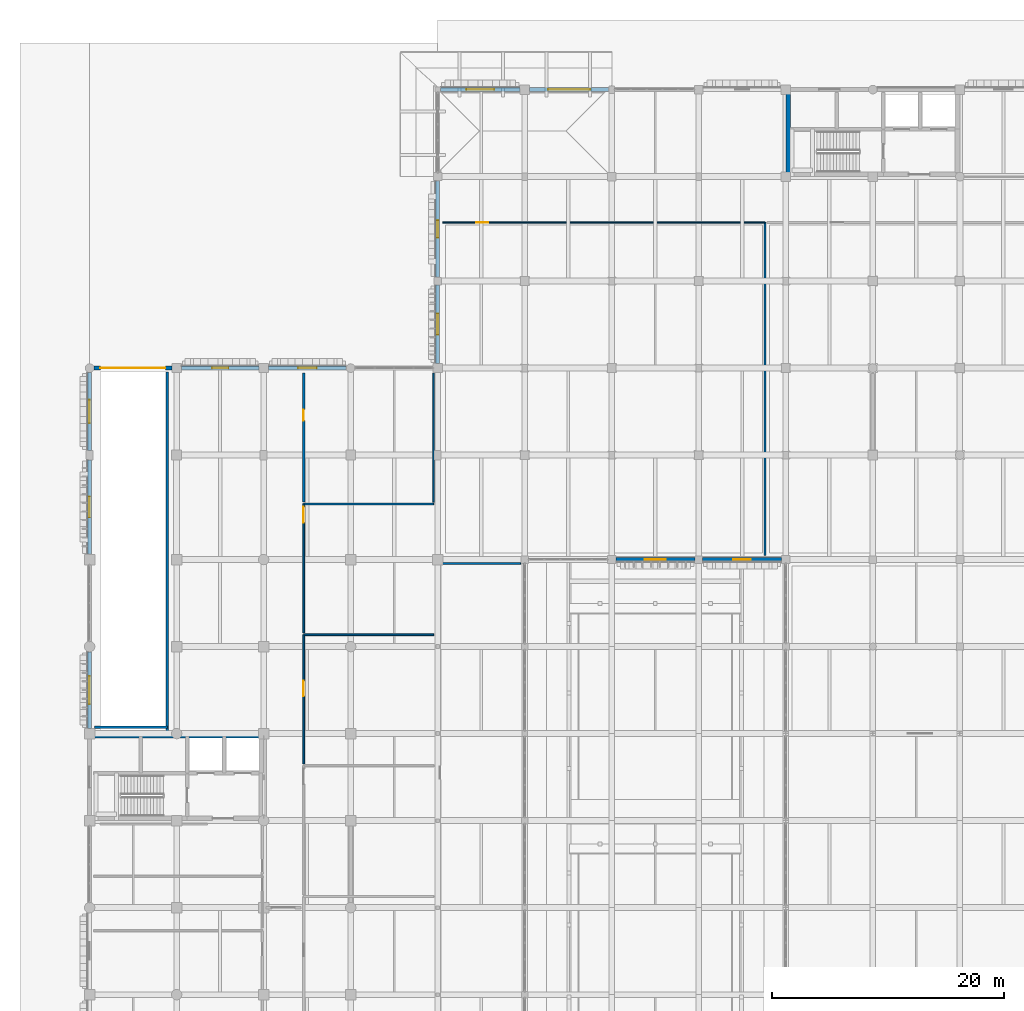
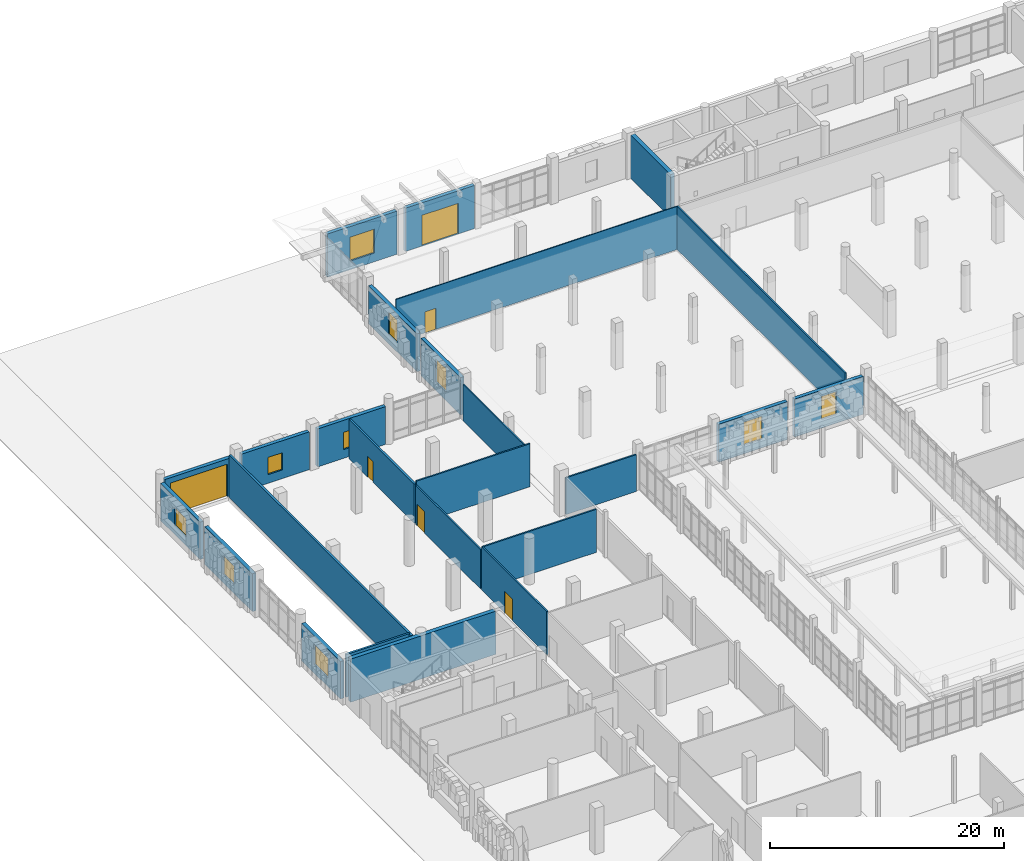
# One storey, part 94 of 125: 25 walls, 10 windows, 6 doors, 16 openings.
"""IFC4 building model written with IfcOpenShell, lengths in metres."""

from ifc_helpers import new_model, si_unit, direction, frame, frame_2d, origin, place, context, subcontext, project, spatial, rectangle, extrude, material, layer, layer_set, type_object, element, fill, save


model = new_model("IFC4")

# Units and contexts
model_context = context("Model", 3, precision=1e-05, world=origin(), true_north=direction((0.0, 1.0)))
body_context = subcontext(model_context, "Body", "Model", "MODEL_VIEW")
ifc_project = project(units=[si_unit("LENGTHUNIT", "METRE"), si_unit("AREAUNIT", "SQUARE_METRE"), si_unit("VOLUMEUNIT", "CUBIC_METRE"), si_unit("PLANEANGLEUNIT", "RADIAN"), si_unit("MASSUNIT", "GRAM", prefix="KILO")], contexts=[model_context])

# Site, building, storey
site_placement = place(None, origin())
site = spatial("IfcSite", under=ifc_project, at=site_placement, CompositionType="ELEMENT")
building_placement = place(site_placement, origin())
building = spatial("IfcBuilding", under=site, at=building_placement, Name="Dalvernix Boulevard General Hospital", CompositionType="ELEMENT")
storey_placement = place(building_placement, origin())
storey = spatial("IfcBuildingStorey", under=building, at=storey_placement, Name="L00", CompositionType="ELEMENT", Elevation=0.0)

# Walls
ifc_material_1 = material(Name="Concrete C40/50", Category="concrete")
ifc_layer_1 = layer(ifc_material_1, 0.39990234375)
ifc_layer_set_1 = layer_set([ifc_layer_1], Name="Concrete C40/50 (WAL-CSW-01)")
wall_type_1 = type_object("IfcWallType", Name="WAL-CSW-01", PredefinedType="SHEAR", material=ifc_layer_set_1)
wall_1_placement = place(storey_placement, frame((0.35009765625, 61.300048828125, 0.0), z_axis=(0.0, 0.0, 1.0), x_axis=(1.0, 0.0, 0.0)))
element("IfcWall", 1, at=wall_1_placement, inside=storey, type_object=wall_type_1, Name="L00 C2 north shaft core wall", PredefinedType="SHEAR", context=body_context, shape_type="SweptSolid", body=[
    extrude(rectangle(XDim=14.2998046875, YDim=0.39990234375, at=frame_2d((7.14990234375, 0.0))), origin(), (0.0, 0.0, 1.0), 4.5),
])
wall_2_placement = place(storey_placement, frame((60.199951171875, 109.85009765625, 0.0), z_axis=(0.0, 0.0, 1.0), x_axis=(0.0, 1.0, 0.0)))
element("IfcWall", 2, at=wall_2_placement, inside=storey, type_object=wall_type_1, Name="L00 C3 west core wall", PredefinedType="SHEAR", context=body_context, shape_type="SweptSolid", body=[
    extrude(rectangle(XDim=6.7998046875, YDim=0.39990234375, at=frame_2d((3.39990234375, 0.0))), origin(), (0.0, 0.0, 1.0), 4.5),
])

# Wall, opening, window
ifc_material_2 = material(Name="Pressed Catalan clay brick and insulated concrete cavity wall C35/45", Category="masonry")
ifc_layer_2 = layer(ifc_material_2, 0.35009765625)
ifc_layer_set_2 = layer_set([ifc_layer_2], Name="Pressed Catalan clay brick and insulated concrete cavity wall C35/45 (WAL-EW-01)")
wall_type_2 = type_object("IfcWallType", Name="WAL-EW-01", PredefinedType="STANDARD", material=ifc_layer_set_2)
wall_3_placement = place(storey_placement, frame((0.0, 61.9599609375, 0.0), z_axis=(0.0, 0.0, 1.0), x_axis=(0.0, 1.0, 0.0)))
wall_3 = element("IfcWall", 3, at=wall_3_placement, inside=storey, type_object=wall_type_2, Name="L00 Catalan brick external wall W 0-8", PredefinedType="STANDARD", context=body_context, shape_type="SweptSolid", body=[
    extrude(rectangle(XDim=6.580078125, YDim=0.35009765625, at=frame_2d((3.2900390625, 0.0))), origin(), (0.0, 0.0, 1.0), 3.89990234375),
])
opening_1_placement = place(wall_3_placement, frame((2.090087890625, 0.0, 0.89990234375)))
opening_1 = element("IfcOpeningElement", 4, at=opening_1_placement, cuts=wall_3, Name="Opening WN-09", PredefinedType="OPENING", context=body_context, shape_type="SweptSolid", body=[
    extrude(rectangle(XDim=2.39990234375, YDim=2.10009765625, at=frame_2d((1.199951171875, 1.050048828125))), frame((0.0, 0.18505859375, 0.0), z_axis=(0.0, -1.0, 0.0), x_axis=(1.0, 0.0, 0.0)), (0.0, 0.0, 1.0), 0.3701171875),
])
ifc_material_3 = material(Name="Thermally broken aluminium frame with solar-control double glazing", Category="aluminium")
window_type_1 = type_object("IfcWindowType", Name="WIN-WN-09", PartitioningType="SINGLE_PANEL", PredefinedType="WINDOW", material=ifc_material_3)
window_1_placement = place(opening_1_placement, origin())
window_1 = element("IfcWindow", 5, at=window_1_placement, inside=storey, type_object=window_type_1, Name="L00 clinical window WN-09 W 0-8", OverallHeight=2.10009765625, OverallWidth=2.39990234375, PartitioningType="SINGLE_PANEL", PredefinedType="WINDOW", context=body_context, shape_type="SweptSolid", body=[
    extrude(rectangle(XDim=2.39990234375, YDim=2.10009765625, at=frame_2d((1.199951171875, 1.050048828125))), frame((0.0, 0.030029296875, 0.0), z_axis=(0.0, -1.0, 0.0), x_axis=(1.0, 0.0, 0.0)), (0.0, 0.0, 1.0), 0.06005859375),
])
fill(opening_1, window_1)

wall_4_placement = place(storey_placement, frame((0.0, 76.9599609375, 0.0), z_axis=(0.0, 0.0, 1.0), x_axis=(0.0, 1.0, 0.0)))
wall_4 = element("IfcWall", 6, at=wall_4_placement, inside=storey, type_object=wall_type_2, Name="L00 Catalan brick external wall W 0-10", PredefinedType="STANDARD", context=body_context, shape_type="SweptSolid", body=[
    extrude(rectangle(XDim=8.130126953125, YDim=0.35009765625, at=frame_2d((4.06494140625, 0.0))), origin(), (0.0, 0.0, 1.0), 3.949951171875),
])
opening_2_placement = place(wall_4_placement, frame((3.1650390625, 0.0, 0.89990234375)))
opening_2 = element("IfcOpeningElement", 7, at=opening_2_placement, cuts=wall_4, Name="Opening WN-11", PredefinedType="OPENING", context=body_context, shape_type="SweptSolid", body=[
    extrude(rectangle(XDim=1.800048828125, YDim=1.949951171875, at=frame_2d((0.89990234375, 0.97509765625))), frame((0.0, 0.18505859375, 0.0), z_axis=(0.0, -1.0, 0.0), x_axis=(1.0, 0.0, 0.0)), (0.0, 0.0, 1.0), 0.3701171875),
])
window_type_2 = type_object("IfcWindowType", Name="WIN-WN-11", PartitioningType="SINGLE_PANEL", PredefinedType="WINDOW", material=ifc_material_3)
window_2_placement = place(opening_2_placement, origin())
window_2 = element("IfcWindow", 8, at=window_2_placement, inside=storey, type_object=window_type_2, Name="L00 clinical window WN-11 W 0-10", OverallHeight=1.949951171875, OverallWidth=1.800048828125, PartitioningType="SINGLE_PANEL", PredefinedType="WINDOW", context=body_context, shape_type="SweptSolid", body=[
    extrude(rectangle(XDim=1.800048828125, YDim=1.949951171875, at=frame_2d((0.89990234375, 0.97509765625))), frame((0.0, 0.030029296875, 0.0), z_axis=(0.0, -1.0, 0.0), x_axis=(1.0, 0.0, 0.0)), (0.0, 0.0, 1.0), 0.06005859375),
])
fill(opening_2, window_2)

# Wall, opening, door
wall_5_placement = place(storey_placement, frame((0.385009765625, 93.0, 0.0), z_axis=(0.0, 0.0, 1.0), x_axis=(1.0, 0.0, 0.0)))
wall_5 = element("IfcWall", 9, at=wall_5_placement, inside=storey, type_object=wall_type_2, Name="L00 Catalan brick external wall N 0-12", PredefinedType="STANDARD", context=body_context, shape_type="SweptSolid", body=[
    extrude(rectangle(XDim=6.705078125, YDim=0.35009765625, at=frame_2d((3.3525390625, 0.0))), origin(), (0.0, 0.0, 1.0), 3.949951171875),
])
opening_3_placement = place(wall_5_placement, frame((0.552490234375, 0.0, 0.0)))
opening_3 = element("IfcOpeningElement", 10, at=opening_3_placement, cuts=wall_5, Name="Opening VG-01", PredefinedType="OPENING", context=body_context, shape_type="SweptSolid", body=[
    extrude(rectangle(XDim=5.60009765625, YDim=3.39990234375, at=frame_2d((2.800048828125, 1.699951171875))), frame((0.0, 0.18505859375, 0.0), z_axis=(0.0, -1.0, 0.0), x_axis=(1.0, 0.0, 0.0)), (0.0, 0.0, 1.0), 0.3701171875),
])
ifc_material_4 = material(Name="Galvanized painted steel", Category="steel")
door_type_1 = type_object("IfcDoorType", Name="DR-VG-01", OperationType="ROLLINGUP", PredefinedType="DOOR", material=ifc_material_4)
door_1_placement = place(opening_3_placement, origin())
door_1 = element("IfcDoor", 11, at=door_1_placement, inside=storey, type_object=door_type_1, Name="Basement Vehicle Ramp Roller Shutter VG-01", OperationType="ROLLINGUP", OverallHeight=3.39990234375, OverallWidth=5.60009765625, PredefinedType="DOOR", context=body_context, shape_type="SweptSolid", body=[
    extrude(rectangle(XDim=5.60009765625, YDim=3.39990234375, at=frame_2d((2.800048828125, 1.699951171875))), frame((0.0, 0.02490234375, 0.0), z_axis=(0.0, -1.0, 0.0), x_axis=(1.0, 0.0, 0.0)), (0.0, 0.0, 1.0), 0.050048828125),
])
fill(opening_3, door_1)

# Wall, opening, window
wall_6_placement = place(storey_placement, frame((0.0, 85.909912109375, 0.0), z_axis=(0.0, 0.0, 1.0), x_axis=(0.0, 1.0, 0.0)))
wall_6 = element("IfcWall", 12, at=wall_6_placement, inside=storey, type_object=wall_type_2, Name="L00 Catalan brick external wall W 0-11", PredefinedType="STANDARD", context=body_context, shape_type="SweptSolid", body=[
    extrude(rectangle(XDim=6.705078125, YDim=0.35009765625, at=frame_2d((3.3525390625, 0.0))), origin(), (0.0, 0.0, 1.0), 3.89990234375),
])
opening_4_placement = place(wall_6_placement, frame((2.3525390625, 0.0, 0.89990234375)))
opening_4 = element("IfcOpeningElement", 13, at=opening_4_placement, cuts=wall_6, Name="Opening WN-12", PredefinedType="OPENING", context=body_context, shape_type="SweptSolid", body=[
    extrude(rectangle(XDim=2.0, YDim=1.949951171875, at=frame_2d((1.0, 0.97509765625))), frame((0.0, 0.18505859375, 0.0), z_axis=(0.0, -1.0, 0.0), x_axis=(1.0, 0.0, 0.0)), (0.0, 0.0, 1.0), 0.3701171875),
])
window_type_3 = type_object("IfcWindowType", Name="WIN-WN-12", PartitioningType="SINGLE_PANEL", PredefinedType="WINDOW", material=ifc_material_3)
window_3_placement = place(opening_4_placement, origin())
window_3 = element("IfcWindow", 14, at=window_3_placement, inside=storey, type_object=window_type_3, Name="L00 clinical window WN-12 W 0-11", OverallHeight=1.949951171875, OverallWidth=2.0, PartitioningType="SINGLE_PANEL", PredefinedType="WINDOW", context=body_context, shape_type="SweptSolid", body=[
    extrude(rectangle(XDim=2.0, YDim=1.949951171875, at=frame_2d((1.0, 0.97509765625))), frame((0.0, 0.030029296875, 0.0), z_axis=(0.0, -1.0, 0.0), x_axis=(1.0, 0.0, 0.0)), (0.0, 0.0, 1.0), 0.06005859375),
])
fill(opening_4, window_3)

wall_7_placement = place(storey_placement, frame((7.909912109375, 93.0, 0.0), z_axis=(0.0, 0.0, 1.0), x_axis=(1.0, 0.0, 0.0)))
wall_7 = element("IfcWall", 15, at=wall_7_placement, inside=storey, type_object=wall_type_2, Name="L00 Catalan brick external wall N 1-12", PredefinedType="STANDARD", context=body_context, shape_type="SweptSolid", body=[
    extrude(rectangle(XDim=6.68017578125, YDim=0.35009765625, at=frame_2d((3.340087890625, 0.0))), origin(), (0.0, 0.0, 1.0), 3.949951171875),
])
opening_5_placement = place(wall_7_placement, frame((2.639892578125, 0.0, 0.89990234375)))
opening_5 = element("IfcOpeningElement", 16, at=opening_5_placement, cuts=wall_7, Name="Opening WN-14", PredefinedType="OPENING", context=body_context, shape_type="SweptSolid", body=[
    extrude(rectangle(XDim=1.39990234375, YDim=1.800048828125, at=frame_2d((0.699951171875, 0.89990234375))), frame((0.0, 0.18505859375, 0.0), z_axis=(0.0, -1.0, 0.0), x_axis=(1.0, 0.0, 0.0)), (0.0, 0.0, 1.0), 0.3701171875),
])
window_type_4 = type_object("IfcWindowType", Name="WIN-WN-14", PartitioningType="SINGLE_PANEL", PredefinedType="WINDOW", material=ifc_material_3)
window_4_placement = place(opening_5_placement, origin())
window_4 = element("IfcWindow", 17, at=window_4_placement, inside=storey, type_object=window_type_4, Name="L00 clinical window WN-14 N 1-12", OverallHeight=1.800048828125, OverallWidth=1.39990234375, PartitioningType="SINGLE_PANEL", PredefinedType="WINDOW", context=body_context, shape_type="SweptSolid", body=[
    extrude(rectangle(XDim=1.39990234375, YDim=1.800048828125, at=frame_2d((0.699951171875, 0.89990234375))), frame((0.0, 0.030029296875, 0.0), z_axis=(0.0, -1.0, 0.0), x_axis=(1.0, 0.0, 0.0)), (0.0, 0.0, 1.0), 0.06005859375),
])
fill(opening_5, window_4)

wall_8_placement = place(storey_placement, frame((15.409912109375, 93.0, 0.0), z_axis=(0.0, 0.0, 1.0), x_axis=(1.0, 0.0, 0.0)))
wall_8 = element("IfcWall", 18, at=wall_8_placement, inside=storey, type_object=wall_type_2, Name="L00 Catalan brick external wall N 2-12", PredefinedType="STANDARD", context=body_context, shape_type="SweptSolid", body=[
    extrude(rectangle(XDim=6.705078125, YDim=0.35009765625, at=frame_2d((3.3525390625, 0.0))), origin(), (0.0, 0.0, 1.0), 3.949951171875),
])
opening_6_placement = place(wall_8_placement, frame((2.552490234375, 0.0, 0.89990234375)))
opening_6 = element("IfcOpeningElement", 19, at=opening_6_placement, cuts=wall_8, Name="Opening WN-15", PredefinedType="OPENING", context=body_context, shape_type="SweptSolid", body=[
    extrude(rectangle(XDim=1.60009765625, YDim=1.800048828125, at=frame_2d((0.800048828125, 0.89990234375))), frame((0.0, 0.18505859375, 0.0), z_axis=(0.0, -1.0, 0.0), x_axis=(1.0, 0.0, 0.0)), (0.0, 0.0, 1.0), 0.3701171875),
])
window_type_5 = type_object("IfcWindowType", Name="WIN-WN-15", PartitioningType="SINGLE_PANEL", PredefinedType="WINDOW", material=ifc_material_3)
window_5_placement = place(opening_6_placement, origin())
window_5 = element("IfcWindow", 20, at=window_5_placement, inside=storey, type_object=window_type_5, Name="L00 clinical window WN-15 N 2-12", OverallHeight=1.800048828125, OverallWidth=1.60009765625, PartitioningType="SINGLE_PANEL", PredefinedType="WINDOW", context=body_context, shape_type="SweptSolid", body=[
    extrude(rectangle(XDim=1.60009765625, YDim=1.800048828125, at=frame_2d((0.800048828125, 0.89990234375))), frame((0.0, 0.030029296875, 0.0), z_axis=(0.0, -1.0, 0.0), x_axis=(1.0, 0.0, 0.0)), (0.0, 0.0, 1.0), 0.06005859375),
])
fill(opening_6, window_5)

wall_9_placement = place(storey_placement, frame((30.0, 93.409912109375, 0.0), z_axis=(0.0, 0.0, 1.0), x_axis=(0.0, 1.0, 0.0)))
wall_9 = element("IfcWall", 21, at=wall_9_placement, inside=storey, type_object=wall_type_2, Name="L00 Catalan brick external wall W 4-12", PredefinedType="STANDARD", context=body_context, shape_type="SweptSolid", body=[
    extrude(rectangle(XDim=6.755126953125, YDim=0.35009765625, at=frame_2d((3.37744140625, 0.0))), origin(), (0.0, 0.0, 1.0), 3.89990234375),
])
opening_7_placement = place(wall_9_placement, frame((2.4775390625, 0.0, 0.89990234375)))
opening_7 = element("IfcOpeningElement", 22, at=opening_7_placement, cuts=wall_9, Name="Opening WN-01", PredefinedType="OPENING", context=body_context, shape_type="SweptSolid", body=[
    extrude(rectangle(XDim=1.800048828125, YDim=2.39990234375, at=frame_2d((0.89990234375, 1.199951171875))), frame((0.0, 0.18505859375, 0.0), z_axis=(0.0, -1.0, 0.0), x_axis=(1.0, 0.0, 0.0)), (0.0, 0.0, 1.0), 0.3701171875),
])
window_type_6 = type_object("IfcWindowType", Name="WIN-WN-01", PartitioningType="SINGLE_PANEL", PredefinedType="WINDOW", material=ifc_material_3)
window_6_placement = place(opening_7_placement, origin())
window_6 = element("IfcWindow", 23, at=window_6_placement, inside=storey, type_object=window_type_6, Name="L00 clinical window WN-01 W 4-12", OverallHeight=2.39990234375, OverallWidth=1.800048828125, PartitioningType="SINGLE_PANEL", PredefinedType="WINDOW", context=body_context, shape_type="SweptSolid", body=[
    extrude(rectangle(XDim=1.800048828125, YDim=2.39990234375, at=frame_2d((0.89990234375, 1.199951171875))), frame((0.0, 0.030029296875, 0.0), z_axis=(0.0, -1.0, 0.0), x_axis=(1.0, 0.0, 0.0)), (0.0, 0.0, 1.0), 0.06005859375),
])
fill(opening_7, window_6)

wall_10_placement = place(storey_placement, frame((30.0, 100.8349609375, 0.0), z_axis=(0.0, 0.0, 1.0), x_axis=(0.0, 1.0, 0.0)))
wall_10 = element("IfcWall", 24, at=wall_10_placement, inside=storey, type_object=wall_type_2, Name="L00 Catalan brick external wall W 4-13", PredefinedType="STANDARD", context=body_context, shape_type="SweptSolid", body=[
    extrude(rectangle(XDim=8.304931640625, YDim=0.35009765625, at=frame_2d((4.15234375, 0.0))), origin(), (0.0, 0.0, 1.0), 3.949951171875),
])
opening_8_placement = place(wall_10_placement, frame((3.402587890625, 0.0, 0.89990234375)))
opening_8 = element("IfcOpeningElement", 25, at=opening_8_placement, cuts=wall_10, Name="Opening WN-02", PredefinedType="OPENING", context=body_context, shape_type="SweptSolid", body=[
    extrude(rectangle(XDim=1.5, YDim=2.39990234375, at=frame_2d((0.75, 1.199951171875))), frame((0.0, 0.18505859375, 0.0), z_axis=(0.0, -1.0, 0.0), x_axis=(1.0, 0.0, 0.0)), (0.0, 0.0, 1.0), 0.3701171875),
])
window_type_7 = type_object("IfcWindowType", Name="WIN-WN-02", PartitioningType="SINGLE_PANEL", PredefinedType="WINDOW", material=ifc_material_3)
window_7_placement = place(opening_8_placement, origin())
window_7 = element("IfcWindow", 26, at=window_7_placement, inside=storey, type_object=window_type_7, Name="L00 clinical window WN-02 W 4-13", OverallHeight=2.39990234375, OverallWidth=1.5, PartitioningType="SINGLE_PANEL", PredefinedType="WINDOW", context=body_context, shape_type="SweptSolid", body=[
    extrude(rectangle(XDim=1.5, YDim=2.39990234375, at=frame_2d((0.75, 1.199951171875))), frame((0.0, 0.030029296875, 0.0), z_axis=(0.0, -1.0, 0.0), x_axis=(1.0, 0.0, 0.0)), (0.0, 0.0, 1.0), 0.06005859375),
])
fill(opening_8, window_7)

wall_11_placement = place(storey_placement, frame((30.235107421875, 117.0, 0.0), z_axis=(0.0, 0.0, 1.0), x_axis=(1.0, 0.0, 0.0)))
wall_11 = element("IfcWall", 27, at=wall_11_placement, inside=storey, type_object=wall_type_2, Name="L00 Catalan brick external wall N 4-15", PredefinedType="STANDARD", context=body_context, shape_type="SweptSolid", body=[
    extrude(rectangle(XDim=6.85498046875, YDim=0.35009765625, at=frame_2d((3.427490234375, 0.0))), origin(), (0.0, 0.0, 1.0), 4.5),
])
opening_9_placement = place(wall_11_placement, frame((2.2275390625, 0.0, 0.89990234375)))
opening_9 = element("IfcOpeningElement", 28, at=opening_9_placement, cuts=wall_11, Name="Opening WN-04", PredefinedType="OPENING", context=body_context, shape_type="SweptSolid", body=[
    extrude(rectangle(XDim=2.39990234375, YDim=2.5, at=frame_2d((1.199951171875, 1.25))), frame((0.0, 0.18505859375, 0.0), z_axis=(0.0, -1.0, 0.0), x_axis=(1.0, 0.0, 0.0)), (0.0, 0.0, 1.0), 0.3701171875),
])
window_type_8 = type_object("IfcWindowType", Name="WIN-WN-04", PartitioningType="SINGLE_PANEL", PredefinedType="WINDOW", material=ifc_material_3)
window_8_placement = place(opening_9_placement, origin())
window_8 = element("IfcWindow", 29, at=window_8_placement, inside=storey, type_object=window_type_8, Name="L00 clinical window WN-04 N 4-15", OverallHeight=2.5, OverallWidth=2.39990234375, PartitioningType="SINGLE_PANEL", PredefinedType="WINDOW", context=body_context, shape_type="SweptSolid", body=[
    extrude(rectangle(XDim=2.39990234375, YDim=2.5, at=frame_2d((1.199951171875, 1.25))), frame((0.0, 0.030029296875, 0.0), z_axis=(0.0, -1.0, 0.0), x_axis=(1.0, 0.0, 0.0)), (0.0, 0.0, 1.0), 0.06005859375),
])
fill(opening_9, window_8)

# Wall, opening, door
wall_12_placement = place(storey_placement, frame((37.909912109375, 117.0, 0.0), z_axis=(0.0, 0.0, 1.0), x_axis=(1.0, 0.0, 0.0)))
wall_12 = element("IfcWall", 30, at=wall_12_placement, inside=storey, type_object=wall_type_2, Name="L00 Catalan brick external wall N 5-15", PredefinedType="STANDARD", context=body_context, shape_type="SweptSolid", body=[
    extrude(rectangle(XDim=6.830078125, YDim=0.35009765625, at=frame_2d((3.4150390625, 0.0))), origin(), (0.0, 0.0, 1.0), 4.5),
])
opening_10_placement = place(wall_12_placement, frame((1.614990234375, 0.0, 0.0)))
opening_10 = element("IfcOpeningElement", 31, at=opening_10_placement, cuts=wall_12, Name="Opening SD-01", PredefinedType="OPENING", context=body_context, shape_type="SweptSolid", body=[
    extrude(rectangle(XDim=3.60009765625, YDim=3.199951171875, at=frame_2d((1.800048828125, 1.60009765625))), frame((0.0, 0.18505859375, 0.0), z_axis=(0.0, -1.0, 0.0), x_axis=(1.0, 0.0, 0.0)), (0.0, 0.0, 1.0), 0.3701171875),
])
door_type_2 = type_object("IfcDoorType", Name="DR-SD-01", OperationType="ROLLINGUP", PredefinedType="DOOR", material=ifc_material_4)
door_2_placement = place(opening_10_placement, origin())
door_2 = element("IfcDoor", 32, at=door_2_placement, inside=storey, type_object=door_type_2, Name="Central Stores Loading Dock Shutter SD-01", OperationType="ROLLINGUP", OverallHeight=3.199951171875, OverallWidth=3.60009765625, PredefinedType="DOOR", context=body_context, shape_type="SweptSolid", body=[
    extrude(rectangle(XDim=3.60009765625, YDim=3.199951171875, at=frame_2d((1.800048828125, 1.60009765625))), frame((0.0, 0.02490234375, 0.0), z_axis=(0.0, -1.0, 0.0), x_axis=(1.0, 0.0, 0.0)), (0.0, 0.0, 1.0), 0.050048828125),
])
fill(opening_10, door_2)

# Wall, opening, window
wall_13_placement = place(storey_placement, frame((52.1650390625, 76.5, 0.0), z_axis=(0.0, 0.0, 1.0), x_axis=(-1.0, 0.0, 0.0)))
wall_13 = element("IfcWall", 33, at=wall_13_placement, inside=storey, type_object=wall_type_2, Name="L00 Catalan brick external wall S 6-10", PredefinedType="STANDARD", context=body_context, shape_type="SweptSolid", body=[
    extrude(rectangle(XDim=6.804931640625, YDim=0.35009765625, at=frame_2d((3.40234375, 0.0))), origin(), (0.0, 0.0, 1.0), 3.949951171875),
])
opening_11_placement = place(wall_13_placement, frame((2.50244140625, 0.0, 0.89990234375)))
opening_11 = element("IfcOpeningElement", 34, at=opening_11_placement, cuts=wall_13, Name="Opening WN-01", PredefinedType="OPENING", context=body_context, shape_type="SweptSolid", body=[
    extrude(rectangle(XDim=1.800048828125, YDim=2.39990234375, at=frame_2d((0.89990234375, 1.199951171875))), frame((0.0, 0.18505859375, 0.0), z_axis=(0.0, -1.0, 0.0), x_axis=(1.0, 0.0, 0.0)), (0.0, 0.0, 1.0), 0.3701171875),
])
window_9_placement = place(opening_11_placement, origin())
window_9 = element("IfcWindow", 35, at=window_9_placement, inside=storey, type_object=window_type_6, Name="L00 clinical window WN-01 S 6-10", OverallHeight=2.39990234375, OverallWidth=1.800048828125, PartitioningType="SINGLE_PANEL", PredefinedType="WINDOW", context=body_context, shape_type="SweptSolid", body=[
    extrude(rectangle(XDim=1.800048828125, YDim=2.39990234375, at=frame_2d((0.89990234375, 1.199951171875))), frame((0.0, 0.030029296875, 0.0), z_axis=(0.0, -1.0, 0.0), x_axis=(1.0, 0.0, 0.0)), (0.0, 0.0, 1.0), 0.06005859375),
])
fill(opening_11, window_9)

wall_14_placement = place(storey_placement, frame((59.639892578125, 76.5, 0.0), z_axis=(0.0, 0.0, 1.0), x_axis=(-1.0, 0.0, 0.0)))
wall_14 = element("IfcWall", 36, at=wall_14_placement, inside=storey, type_object=wall_type_2, Name="L00 Catalan brick external wall S 7-10", PredefinedType="STANDARD", context=body_context, shape_type="SweptSolid", body=[
    extrude(rectangle(XDim=6.804931640625, YDim=0.35009765625, at=frame_2d((3.40234375, 0.0))), origin(), (0.0, 0.0, 1.0), 3.949951171875),
])
opening_12_placement = place(wall_14_placement, frame((2.652587890625, 0.0, 0.89990234375)))
opening_12 = element("IfcOpeningElement", 37, at=opening_12_placement, cuts=wall_14, Name="Opening WN-02", PredefinedType="OPENING", context=body_context, shape_type="SweptSolid", body=[
    extrude(rectangle(XDim=1.5, YDim=2.39990234375, at=frame_2d((0.75, 1.199951171875))), frame((0.0, 0.18505859375, 0.0), z_axis=(0.0, -1.0, 0.0), x_axis=(1.0, 0.0, 0.0)), (0.0, 0.0, 1.0), 0.3701171875),
])
window_10_placement = place(opening_12_placement, origin())
window_10 = element("IfcWindow", 38, at=window_10_placement, inside=storey, type_object=window_type_7, Name="L00 clinical window WN-02 S 7-10", OverallHeight=2.39990234375, OverallWidth=1.5, PartitioningType="SINGLE_PANEL", PredefinedType="WINDOW", context=body_context, shape_type="SweptSolid", body=[
    extrude(rectangle(XDim=1.5, YDim=2.39990234375, at=frame_2d((0.75, 1.199951171875))), frame((0.0, 0.030029296875, 0.0), z_axis=(0.0, -1.0, 0.0), x_axis=(1.0, 0.0, 0.0)), (0.0, 0.0, 1.0), 0.06005859375),
])
fill(opening_12, window_10)

# Walls
ifc_material_5 = material(Name="Fire-compartment corridor masonry wall", Category="masonry")
ifc_layer_3 = layer(ifc_material_5, 0.199951171875)
ifc_layer_set_3 = layer_set([ifc_layer_3], Name="Fire-compartment corridor masonry wall (WAL-IW-02)")
wall_type_3 = type_object("IfcWallType", Name="WAL-IW-02", PredefinedType="STANDARD", material=ifc_layer_set_3)
wall_15_placement = place(storey_placement, frame((6.699951171875, 61.64990234375, 0.0), z_axis=(0.0, 0.0, 1.0), x_axis=(0.0, 1.0, 0.0)))
element("IfcWall", 39, at=wall_15_placement, inside=storey, type_object=wall_type_3, Name="L00 vehicle ramp shaft enclosure east wall", PredefinedType="STANDARD", context=body_context, shape_type="SweptSolid", body=[
    extrude(rectangle(XDim=31.0, YDim=0.199951171875, at=frame_2d((15.5, 0.0))), origin(), (0.0, 0.0, 1.0), 4.43994140625),
])
wall_16_placement = place(storey_placement, frame((0.39990234375, 62.050048828125, 0.0), z_axis=(0.0, 0.0, 1.0), x_axis=(1.0, 0.0, 0.0)))
element("IfcWall", 40, at=wall_16_placement, inside=storey, type_object=wall_type_3, Name="L00 vehicle ramp shaft enclosure south wall", PredefinedType="STANDARD", context=body_context, shape_type="SweptSolid", body=[
    extrude(rectangle(XDim=6.300048828125, YDim=0.199951171875, at=frame_2d((3.14990234375, 0.0))), origin(), (0.0, 0.0, 1.0), 4.43994140625),
])

# Wall, opening, door
wall_17_placement = place(storey_placement, frame((18.449951171875, 92.570068359375, 0.0), z_axis=(0.0, 0.0, 1.0), x_axis=(0.0, -1.0, 0.0)))
wall_17 = element("IfcWall", 41, at=wall_17_placement, inside=storey, type_object=wall_type_3, Name="L00 Staff WC and Clean Utility L00 corridor wall", PredefinedType="STANDARD", context=body_context, shape_type="SweptSolid", body=[
    extrude(rectangle(XDim=11.11865234375, YDim=0.199951171875, at=frame_2d((5.559326171875, 0.0))), origin(), (0.0, 0.0, 1.0), 4.0849609375),
])
opening_13_placement = place(wall_17_placement, frame((3.150634765625, 0.0, 0.0)))
opening_13 = element("IfcOpeningElement", 42, at=opening_13_placement, cuts=wall_17, Name="Opening ID-06", PredefinedType="OPENING", context=body_context, shape_type="SweptSolid", body=[
    extrude(rectangle(XDim=0.949951171875, YDim=2.14990234375, at=frame_2d((0.47509765625, 1.074951171875))), frame((0.0, 0.10986328125, 0.0), z_axis=(0.0, -1.0, 0.0), x_axis=(1.0, 0.0, 0.0)), (0.0, 0.0, 1.0), 0.219970703125),
])
ifc_material_6 = material(Name="Hospital laminate acoustic timber and steel frame", Category="steel")
door_type_3 = type_object("IfcDoorType", Name="DR-ID-06", OperationType="NOTDEFINED", PredefinedType="DOOR", material=ifc_material_6)
door_3_placement = place(opening_13_placement, origin())
door_3 = element("IfcDoor", 43, at=door_3_placement, inside=storey, type_object=door_type_3, Name="L00 Staff WC and Clean Utility L00 door", OperationType="SINGLE_SWING_RIGHT", OverallHeight=2.14990234375, OverallWidth=0.949951171875, PredefinedType="DOOR", context=body_context, shape_type="SweptSolid", body=[
    extrude(rectangle(XDim=0.949951171875, YDim=2.14990234375, at=frame_2d((0.47509765625, 1.074951171875))), frame((0.0, 0.02490234375, 0.0), z_axis=(0.0, -1.0, 0.0), x_axis=(1.0, 0.0, 0.0)), (0.0, 0.0, 1.0), 0.050048828125),
])
fill(opening_13, door_3)

ifc_material_7 = material(Name="Acoustic double-stud gypsum inpatient partition")
ifc_layer_4 = layer(ifc_material_7, 0.14990234375)
ifc_layer_set_4 = layer_set([ifc_layer_4], Name="Acoustic double-stud gypsum inpatient partition (WAL-IW-04)")
wall_type_4 = type_object("IfcWallType", Name="WAL-IW-04", PredefinedType="PARTITIONING", material=ifc_layer_set_4)
wall_18_placement = place(storey_placement, frame((18.449951171875, 70.012939453125, 0.0), z_axis=(0.0, 0.0, 1.0), x_axis=(0.0, -1.0, 0.0)))
wall_18 = element("IfcWall", 44, at=wall_18_placement, inside=storey, type_object=wall_type_4, Name="L00 Outpatient Consultation Clinic corridor wall", PredefinedType="PARTITIONING", context=body_context, shape_type="SweptSolid", body=[
    extrude(rectangle(XDim=11.11865234375, YDim=0.14990234375, at=frame_2d((5.559326171875, 0.0))), origin(), (0.0, 0.0, 1.0), 4.485107421875),
])
opening_14_placement = place(wall_18_placement, frame((3.95751953125, 0.0, 0.0)))
opening_14 = element("IfcOpeningElement", 45, at=opening_14_placement, cuts=wall_18, Name="Opening ID-01", PredefinedType="OPENING", context=body_context, shape_type="SweptSolid", body=[
    extrude(rectangle(XDim=1.35009765625, YDim=2.25, at=frame_2d((0.675048828125, 1.125))), frame((0.0, 0.0849609375, 0.0), z_axis=(0.0, -1.0, 0.0), x_axis=(1.0, 0.0, 0.0)), (0.0, 0.0, 1.0), 0.169921875),
])
door_type_4 = type_object("IfcDoorType", Name="DR-ID-01", OperationType="NOTDEFINED", PredefinedType="DOOR", material=ifc_material_6)
door_4_placement = place(opening_14_placement, origin())
door_4 = element("IfcDoor", 46, at=door_4_placement, inside=storey, type_object=door_type_4, Name="L00 Outpatient Consultation Clinic door", OperationType="SINGLE_SWING_RIGHT", OverallHeight=2.25, OverallWidth=1.35009765625, PredefinedType="DOOR", context=body_context, shape_type="SweptSolid", body=[
    extrude(rectangle(XDim=1.35009765625, YDim=2.25, at=frame_2d((0.675048828125, 1.125))), frame((0.0, 0.02490234375, 0.0), z_axis=(0.0, -1.0, 0.0), x_axis=(1.0, 0.0, 0.0)), (0.0, 0.0, 1.0), 0.050048828125),
])
fill(opening_14, door_4)

wall_19_placement = place(storey_placement, frame((18.449951171875, 81.29150390625, 0.0), z_axis=(0.0, 0.0, 1.0), x_axis=(0.0, -1.0, 0.0)))
wall_19 = element("IfcWall", 47, at=wall_19_placement, inside=storey, type_object=wall_type_4, Name="L00 Outpatient Consultation Clinic corridor wall", PredefinedType="PARTITIONING", context=body_context, shape_type="SweptSolid", body=[
    extrude(rectangle(XDim=11.11865234375, YDim=0.14990234375, at=frame_2d((5.559326171875, 0.0))), origin(), (0.0, 0.0, 1.0), 4.0849609375),
])
opening_15_placement = place(wall_19_placement, frame((0.25, 0.0, 0.0)))
opening_15 = element("IfcOpeningElement", 48, at=opening_15_placement, cuts=wall_19, Name="Opening ID-01", PredefinedType="OPENING", context=body_context, shape_type="SweptSolid", body=[
    extrude(rectangle(XDim=1.35009765625, YDim=2.25, at=frame_2d((0.675048828125, 1.125))), frame((0.0, 0.0849609375, 0.0), z_axis=(0.0, -1.0, 0.0), x_axis=(1.0, 0.0, 0.0)), (0.0, 0.0, 1.0), 0.169921875),
])
door_5_placement = place(opening_15_placement, origin())
door_5 = element("IfcDoor", 49, at=door_5_placement, inside=storey, type_object=door_type_4, Name="L00 Outpatient Consultation Clinic door", OperationType="SINGLE_SWING_LEFT", OverallHeight=2.25, OverallWidth=1.35009765625, PredefinedType="DOOR", context=body_context, shape_type="SweptSolid", body=[
    extrude(rectangle(XDim=1.35009765625, YDim=2.25, at=frame_2d((0.675048828125, 1.125))), frame((0.0, 0.02490234375, 0.0), z_axis=(0.0, -1.0, 0.0), x_axis=(1.0, 0.0, 0.0)), (0.0, 0.0, 1.0), 0.050048828125),
])
fill(opening_15, door_5)

# Walls
for number, where, z_axis, x_axis, name in (
    (50, (18.449951171875, 70.012939453125, 0.0), (0.0, 0.0, 1.0), (1.0, 0.0, 0.0), "L00 Outpatient Consultation Clinic partition"),
    (51, (18.449951171875, 81.29150390625, 0.0), (0.0, 0.0, 1.0), (1.0, 0.0, 0.0), "L00 Outpatient Consultation Clinic partition"),
):
    element("IfcWall", number, at=place(storey_placement, frame(where, z_axis=z_axis, x_axis=x_axis)), inside=storey, type_object=wall_type_4, Name=name, PredefinedType="PARTITIONING", context=body_context, shape_type="SweptSolid", body=[
        extrude(rectangle(XDim=11.199951171875, YDim=0.14990234375, at=frame_2d((5.60009765625, 0.0))), origin(), (0.0, 0.0, 1.0), 4.485107421875),
    ])
wall_20_placement = place(storey_placement, frame((30.199951171875, 76.14990234375, 0.0), z_axis=(0.0, 0.0, 1.0), x_axis=(1.0, 0.0, 0.0)))
element("IfcWall", 52, at=wall_20_placement, inside=storey, type_object=wall_type_4, Name="L00 L00 West Cloister Colonnade Loggia partition", PredefinedType="PARTITIONING", context=body_context, shape_type="SweptSolid", body=[
    extrude(rectangle(XDim=6.949951171875, YDim=0.14990234375, at=frame_2d((3.47509765625, 0.0))), origin(), (0.0, 0.0, 1.0), 3.8349609375),
])
wall_21_placement = place(storey_placement, frame((58.199951171875, 76.85009765625, 0.0), z_axis=(0.0, 0.0, 1.0), x_axis=(0.0, 1.0, 0.0)))
element("IfcWall", 53, at=wall_21_placement, inside=storey, type_object=wall_type_4, Name="L00 Hospital Central Stores and Logistics Hall 01 partition", PredefinedType="PARTITIONING", context=body_context, shape_type="SweptSolid", body=[
    extrude(rectangle(XDim=28.699951171875, YDim=0.14990234375, at=frame_2d((14.35009765625, 0.0))), origin(), (0.0, 0.0, 1.0), 4.485107421875),
])
ifc_material_8 = material(Name="Moisture-resistant en-suite bathroom partition")
ifc_layer_5 = layer(ifc_material_8, 0.1201171875)
ifc_layer_set_5 = layer_set([ifc_layer_5], Name="Moisture-resistant en-suite bathroom partition (WAL-IW-05)")
wall_type_5 = type_object("IfcWallType", Name="WAL-IW-05", PredefinedType="PARTITIONING", material=ifc_layer_set_5)
wall_22_placement = place(storey_placement, frame((29.64990234375, 81.451416015625, 0.0), z_axis=(0.0, 0.0, 1.0), x_axis=(0.0, 1.0, 0.0)))
element("IfcWall", 54, at=wall_22_placement, inside=storey, type_object=wall_type_5, Name="L00 Staff WC and Clean Utility L00 enclosure wall E", PredefinedType="PARTITIONING", context=body_context, shape_type="SweptSolid", body=[
    extrude(rectangle(XDim=11.11865234375, YDim=0.1201171875, at=frame_2d((5.559326171875, 0.0))), origin(), (0.0, 0.0, 1.0), 3.784912109375),
])

# Wall, opening, door
ifc_material_9 = material(Name="Fire-resisting clinical sub-partition")
ifc_layer_6 = layer(ifc_material_9, 0.10009765625)
ifc_layer_set_6 = layer_set([ifc_layer_6], Name="Fire-resisting clinical sub-partition (WAL-IW-06)")
wall_type_6 = type_object("IfcWallType", Name="WAL-IW-06", PredefinedType="PARTITIONING", material=ifc_layer_set_6)
wall_23_placement = place(storey_placement, frame((58.199951171875, 105.550048828125, 0.0), z_axis=(0.0, 0.0, 1.0), x_axis=(-1.0, 0.0, 0.0)))
wall_23 = element("IfcWall", 55, at=wall_23_placement, inside=storey, type_object=wall_type_6, Name="L00 Hospital Central Stores and Logistics Hall 01 corridor wall", PredefinedType="PARTITIONING", context=body_context, shape_type="SweptSolid", body=[
    extrude(rectangle(XDim=27.75, YDim=0.10009765625, at=frame_2d((13.875, 0.0))), origin(), (0.0, 0.0, 1.0), 4.485107421875),
])
opening_16_placement = place(wall_23_placement, frame((23.830078125, 0.0, 0.0)))
opening_16 = element("IfcOpeningElement", 56, at=opening_16_placement, cuts=wall_23, Name="Opening ID-07", PredefinedType="OPENING", context=body_context, shape_type="SweptSolid", body=[
    extrude(rectangle(XDim=1.050048828125, YDim=2.199951171875, at=frame_2d((0.52490234375, 1.10009765625))), frame((0.0, 0.06005859375, 0.0), z_axis=(0.0, -1.0, 0.0), x_axis=(1.0, 0.0, 0.0)), (0.0, 0.0, 1.0), 0.1201171875),
])
door_type_5 = type_object("IfcDoorType", Name="DR-ID-07", OperationType="NOTDEFINED", PredefinedType="DOOR", material=ifc_material_6)
door_6_placement = place(opening_16_placement, origin())
door_6 = element("IfcDoor", 57, at=door_6_placement, inside=storey, type_object=door_type_5, Name="L00 Hospital Central Stores and Logistics Hall 01 door", OperationType="SINGLE_SWING_RIGHT", OverallHeight=2.199951171875, OverallWidth=1.050048828125, PredefinedType="DOOR", context=body_context, shape_type="SweptSolid", body=[
    extrude(rectangle(XDim=1.050048828125, YDim=2.199951171875, at=frame_2d((0.52490234375, 1.10009765625))), frame((0.0, 0.02490234375, 0.0), z_axis=(0.0, -1.0, 0.0), x_axis=(1.0, 0.0, 0.0)), (0.0, 0.0, 1.0), 0.050048828125),
])
fill(opening_16, door_6)

save(model, "model.ifc")
